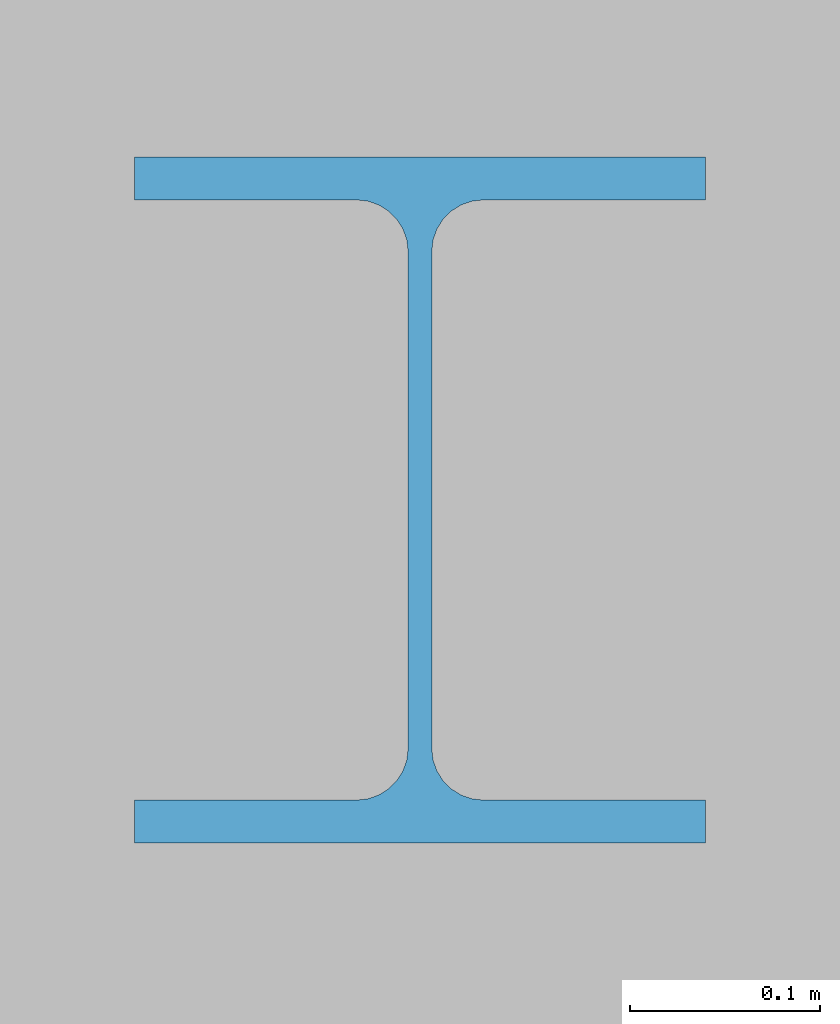
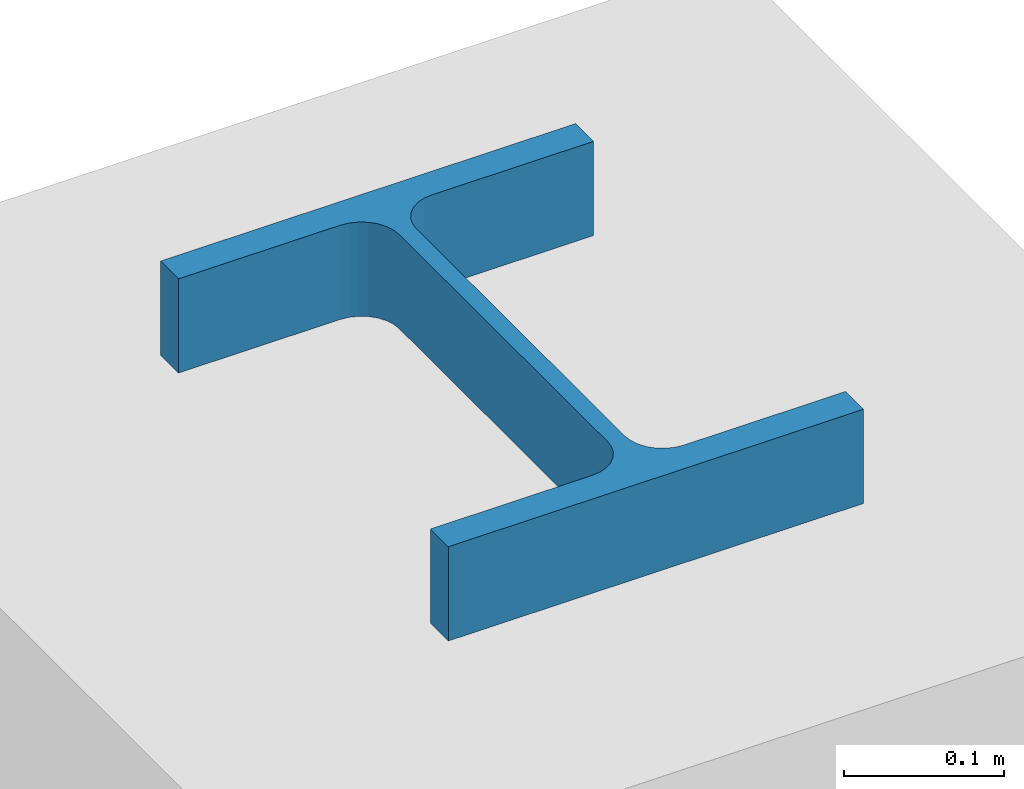
# One storey, part 7 of 68: 1 column.
"""IFC4 building model written with IfcOpenShell, lengths in metres."""

import ifcopenshell
import ifcopenshell.guid

model = None  # the IFC model being written
_history = None  # IfcOwnerHistory: only IFC2X3 demands one
_inside = {}  # id of a spatial element -> (the spatial element, [elements in it])
_under = {}  # id of a project, library or spatial element -> (it, [spatial elements below it])
_declared = {}  # id of a project -> (the project, [libraries it declares])
_typed = {}  # id of a type object -> (the type object, [elements of that type])
_made_of = {}  # id of a material, layer set ... -> (it, [elements and type objects made of it])


def new_model(schema):
    """Start an empty IFC model of exactly this schema.

    Asked for "IFC4X3", IfcOpenShell would pick the latest addendum, in which some entities
    have other attributes; the version numbers below select the first issue.
    IFC2X3 requires an IfcOwnerHistory on every rooted entity: one is made here for all.
    """
    global model, _history
    if schema == "IFC4X3":
        model = ifcopenshell.file(schema_version=(4, 3, 0, 0))
    else:
        model = ifcopenshell.file(schema=schema)
    _inside.clear()
    _under.clear()
    _declared.clear()
    _typed.clear()
    _made_of.clear()
    _history = None
    if model.schema == "IFC2X3":
        org = make("IfcOrganization", Name="unknown")
        user = make(
            "IfcPersonAndOrganization",
            ThePerson=make("IfcPerson", FamilyName="unknown"),
            TheOrganization=org,
        )
        app = make(
            "IfcApplication",
            ApplicationDeveloper=org,
            Version="unknown",
            ApplicationFullName="unknown",
            ApplicationIdentifier="unknown",
        )
        _history = make(
            "IfcOwnerHistory",
            OwningUser=user,
            OwningApplication=app,
            ChangeAction="ADDED",
            CreationDate=0,
        )
    return model


def make(cls, **values):
    """One entity of the class cls with the attributes given. An attribute that is None is left unset."""
    return model.create_entity(
        cls, **{name: value for name, value in values.items() if value is not None}
    )


def rooted(cls, **values):
    """An entity with a GlobalId (a new one), such as an element, a storey or a relation."""
    return make(cls, GlobalId=ifcopenshell.guid.new(), OwnerHistory=_history, **values)


def si_unit(unit_type, name, prefix=None):
    """IfcSIUnit, for example si_unit("LENGTHUNIT", "METRE", prefix="MILLI")."""
    return make("IfcSIUnit", UnitType=unit_type, Prefix=prefix, Name=name)


def assignment(units):
    """IfcUnitAssignment: the units of a project."""
    return None if units is None else make("IfcUnitAssignment", Units=units)


def point(xyz):
    """IfcCartesianPoint."""
    return None if xyz is None else make("IfcCartesianPoint", Coordinates=xyz)


def direction(xyz):
    """IfcDirection."""
    return None if xyz is None else make("IfcDirection", DirectionRatios=xyz)


def frame(location, z_axis=None, x_axis=None):
    """IfcAxis2Placement3D, a coordinate frame: its origin and axes. An axis left out is left unset."""
    return make(
        "IfcAxis2Placement3D",
        Location=point(location),
        Axis=direction(z_axis),
        RefDirection=direction(x_axis),
    )


def frame_2d(location, x_axis=None):
    """IfcAxis2Placement2D, a coordinate frame in the plane: its origin and x axis."""
    return make(
        "IfcAxis2Placement2D", Location=point(location), RefDirection=direction(x_axis)
    )


def origin():
    """The frame at (0, 0, 0) with its axes left unset."""
    return frame((0.0, 0.0, 0.0))


def origin_2d():
    """The frame at (0, 0) in the plane with its x axis left unset."""
    return frame_2d((0.0, 0.0))


def place(relative_to, where):
    """IfcLocalPlacement: puts the frame where relative to a parent placement (None: the world)."""
    return make(
        "IfcLocalPlacement", PlacementRelTo=relative_to, RelativePlacement=where
    )


def context(
    kind, dimensions, precision=None, world=None, true_north=None, identifier=None
):
    """IfcGeometricRepresentationContext, for example the 3D "Model" context."""
    return make(
        "IfcGeometricRepresentationContext",
        ContextIdentifier=identifier,
        ContextType=kind,
        CoordinateSpaceDimension=dimensions,
        Precision=precision,
        WorldCoordinateSystem=world,
        TrueNorth=true_north,
    )


def subcontext(parent, identifier, kind, view, scale=None):
    """IfcGeometricRepresentationSubContext, for example "Body" below "Model"."""
    return make(
        "IfcGeometricRepresentationSubContext",
        ContextIdentifier=identifier,
        ContextType=kind,
        ParentContext=parent,
        TargetScale=scale,
        TargetView=view,
    )


def project(units=None, contexts=None):
    """IfcProject with its units and contexts."""
    return rooted(
        "IfcProject",
        Name="project",
        RepresentationContexts=contexts,
        UnitsInContext=assignment(units),
    )


def spatial(cls, under=None, at=None, **own):
    """A site, building, storey or space (cls), placed at a placement, below another one or the project."""
    s = rooted(cls, ObjectPlacement=at, **own)
    if under is not None:
        _under.setdefault(under.id(), (under, []))[1].append(s)
    return s


def profile(cls, at=None, kind="AREA", **sizes):
    """A parametric profile (cls). Its sizes go by their IFC names, for example OverallWidth=200.0."""
    return make(cls, ProfileType=kind, Position=at, **sizes)


def i_section(**sizes):
    """IfcIShapeProfileDef."""
    return profile("IfcIShapeProfileDef", **sizes)


def extrude(swept, where, along, depth):
    """IfcExtrudedAreaSolid: the profile swept, set in the frame where, extruded along a direction by depth."""
    return make(
        "IfcExtrudedAreaSolid",
        SweptArea=swept,
        Position=where,
        ExtrudedDirection=direction(along),
        Depth=depth,
    )


def shape(context_of_items, identifier, shape_type, items):
    """IfcShapeRepresentation: the items that make up one representation, for example the "Body"."""
    return make(
        "IfcShapeRepresentation",
        ContextOfItems=context_of_items,
        RepresentationIdentifier=identifier,
        RepresentationType=shape_type,
        Items=items,
    )


def material(Name=None, Category=None):
    """IfcMaterial."""
    return make("IfcMaterial", Name=Name, Category=Category)


def material_profile(
    of_material, cross_section, Name=None, Category=None, Priority=None
):
    """IfcMaterialProfile: a cross section and its material."""
    return make(
        "IfcMaterialProfile",
        Name=Name,
        Material=of_material,
        Profile=cross_section,
        Priority=Priority,
        Category=Category,
    )


def profile_set(profiles, Name=None, composite=None):
    """IfcMaterialProfileSet."""
    return make(
        "IfcMaterialProfileSet",
        Name=Name,
        MaterialProfiles=profiles,
        CompositeProfile=composite,
    )


def made_of(thing, what):
    """Note that an element or type object is made of a material, layer set ...; save() writes the relation."""
    if what is not None:
        _made_of.setdefault(what.id(), (what, []))[1].append(thing)
    return thing


def type_object(cls, material=None, **own):
    """A type object (cls), such as IfcWallType, which elements share."""
    return made_of(rooted(cls, **own), material)


def element(
    cls,
    number,
    at=None,
    inside=None,
    cuts=None,
    type_object=None,
    material=None,
    context=None,
    identifier="Body",
    shape_type=None,
    held_by="IfcProductDefinitionShape",
    body=None,
    shapes=None,
    **own,
):
    """One element of the class cls, such as IfcWall. Its Tag is "e" and its number.

    at: its placement. inside: the storey or other place that contains it. cuts: it is an
    opening in that element (IfcRelVoidsElement). A single representation is given by context,
    identifier, shape_type and body (its items); several are given by shapes. held_by: the class
    of the entity that holds the representations. save() writes the other relations.
    """
    e = rooted(cls, Tag="e%d" % number, ObjectPlacement=at, **own)
    if body is not None:
        shapes = [shape(context, identifier, shape_type, body)]
    if shapes is not None:
        e.Representation = make(held_by, Representations=shapes)
    if inside is not None:
        _inside.setdefault(inside.id(), (inside, []))[1].append(e)
    if cuts is not None:
        rooted(
            "IfcRelVoidsElement", RelatingBuildingElement=cuts, RelatedOpeningElement=e
        )
    if type_object is not None:
        _typed.setdefault(type_object.id(), (type_object, []))[1].append(e)
    return made_of(e, material)


def aggregate(whole, parts):
    """IfcRelAggregates: a whole, such as a stair, and the parts it consists of."""
    return rooted("IfcRelAggregates", RelatingObject=whole, RelatedObjects=parts)


def save(model, path):
    """Write the relations noted so far, then the file.

    IfcRelAggregates (storeys below a building ...), IfcRelContainedInSpatialStructure (elements
    in a storey), IfcRelDefinesByType, IfcRelAssociatesMaterial and IfcRelDeclares: one each for
    every whole, place, type object, material and project.
    """
    for whole, parts in _under.values():
        aggregate(whole, parts)
    for where, things in _inside.values():
        rooted(
            "IfcRelContainedInSpatialStructure",
            RelatedElements=things,
            RelatingStructure=where,
        )
    for kind, things in _typed.values():
        rooted("IfcRelDefinesByType", RelatedObjects=things, RelatingType=kind)
    for what, things in _made_of.values():
        rooted("IfcRelAssociatesMaterial", RelatedObjects=things, RelatingMaterial=what)
    for by, libraries in _declared.values():
        rooted("IfcRelDeclares", RelatingContext=by, RelatedDefinitions=libraries)
    model.write(path)


model = new_model("IFC4")

# Units and contexts
model_context = context("Model", 3, precision=1e-05, world=origin(), true_north=direction((0.0, 1.0)))
body_context = subcontext(model_context, "Body", "Model", "MODEL_VIEW")
ifc_project = project(units=[si_unit("LENGTHUNIT", "METRE"), si_unit("AREAUNIT", "SQUARE_METRE"), si_unit("VOLUMEUNIT", "CUBIC_METRE"), si_unit("PLANEANGLEUNIT", "RADIAN"), si_unit("MASSUNIT", "GRAM", prefix="KILO"), si_unit("THERMODYNAMICTEMPERATUREUNIT", "KELVIN")], contexts=[model_context])

# Site, building, storey
site_placement = place(None, origin())
site = spatial("IfcSite", under=ifc_project, at=site_placement, CompositionType="ELEMENT")
building_placement = place(site_placement, origin())
building = spatial("IfcBuilding", under=site, at=building_placement, Name="Nduvali Passage Aquatics Centre", CompositionType="ELEMENT")
storey_placement = place(building_placement, frame((0.0, 0.0, 13.199951171875)))
storey = spatial("IfcBuildingStorey", under=building, at=storey_placement, Name="L03", CompositionType="ELEMENT", Elevation=13.199951171875)

# Column
ifc_material = material(Name="Steel S355", Category="steel")
ifc_material_profile = material_profile(ifc_material, i_section(OverallWidth=0.300048828125, OverallDepth=0.360107421875, WebThickness=0.012451171875, FlangeThickness=0.0224609375, FilletRadius=0.027099609375, at=origin_2d()), Name="HEB 360")
ifc_profile_set = profile_set([ifc_material_profile], Name="Steel S355")
column_type = type_object("IfcColumnType", Name="STR-COL-HEB360", PredefinedType="COLUMN", material=ifc_profile_set)
column_placement = place(storey_placement, frame((25.199951171875, 33.60009765625, 4.1279296875), z_axis=(0.0, 0.0, 1.0), x_axis=(1.0, 0.0, 0.0)))
element("IfcColumn", 1, at=column_placement, inside=storey, type_object=column_type, Name="L03 Column C7B (25.2, 33.6)", PredefinedType="COLUMN", context=body_context, shape_type="SweptSolid", body=[
    extrude(i_section(OverallWidth=0.300048828125, OverallDepth=0.360107421875, WebThickness=0.012451171875, FlangeThickness=0.0224609375, FilletRadius=0.027099609375, at=origin_2d()), origin(), (0.0, 0.0, 1.0), 0.072021484375),
])

save(model, "model.ifc")
